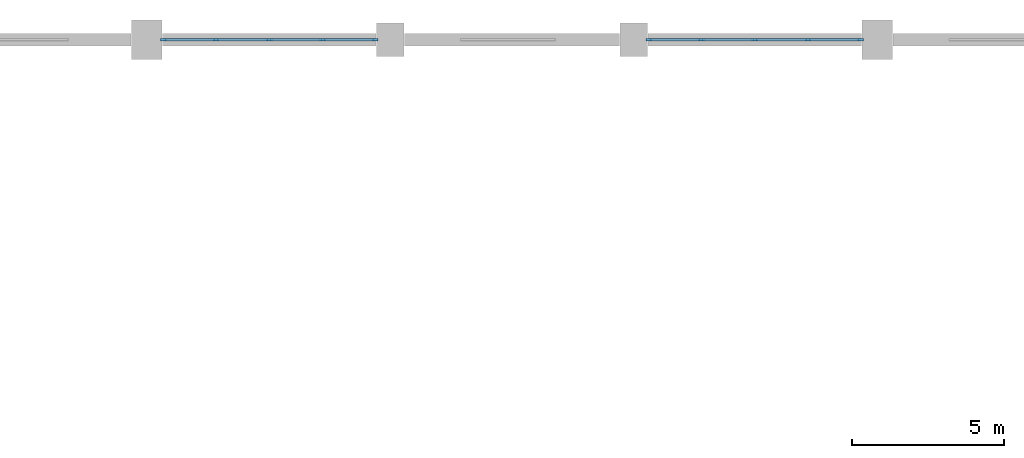
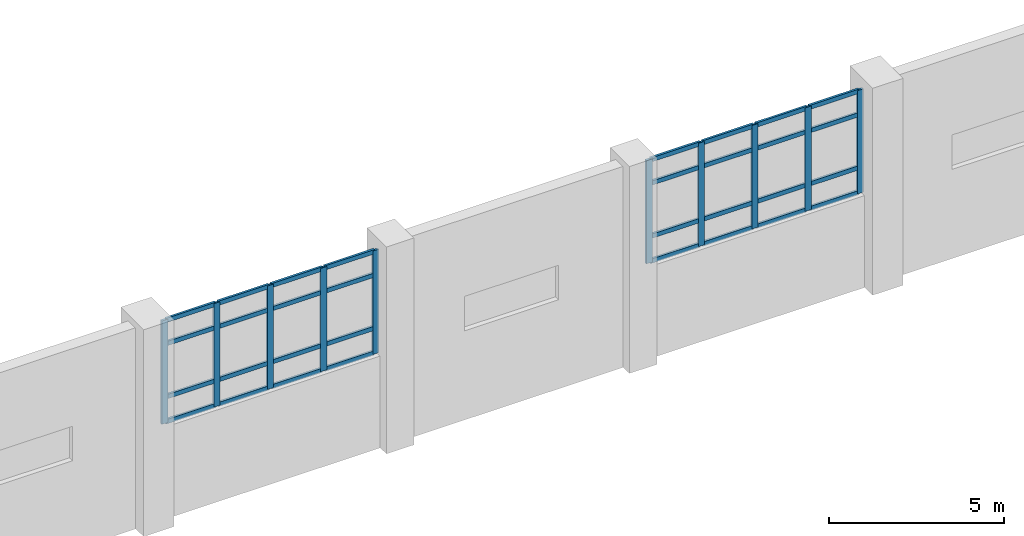
# One storey, part 36 of 84: 42 members, 2 elements without a shape of their own.
"""IFC4 building model written with IfcOpenShell, lengths in metres."""

from ifc_helpers import new_model, si_unit, direction, frame, origin, origin_2d, place, context, subcontext, project, spatial, rectangle, extrude, material, layer, layer_set, material_profile, profile_set, type_object, element, aggregate, save


model = new_model("IFC4")

# Units and contexts
model_context = context("Model", 3, precision=1e-05, world=origin(), true_north=direction((0.0, 1.0)))
body_context = subcontext(model_context, "Body", "Model", "MODEL_VIEW")
ifc_project = project(units=[si_unit("LENGTHUNIT", "METRE"), si_unit("AREAUNIT", "SQUARE_METRE"), si_unit("VOLUMEUNIT", "CUBIC_METRE"), si_unit("PLANEANGLEUNIT", "RADIAN"), si_unit("MASSUNIT", "GRAM", prefix="KILO")], contexts=[model_context])

# Site, building, storey
site_placement = place(None, origin())
site = spatial("IfcSite", under=ifc_project, at=site_placement, CompositionType="ELEMENT")
building_placement = place(site_placement, origin())
building = spatial("IfcBuilding", under=site, at=building_placement, Name="Tlacozan Convention Centre", CompositionType="ELEMENT")
storey_placement = place(building_placement, frame((0.0, 0.0, 6.0)))
storey = spatial("IfcBuildingStorey", under=building, at=storey_placement, Name="L01", CompositionType="ELEMENT", Elevation=6.0)

# Curtain wall, members
ifc_material = material(Name="Dark Bronze Anodised Aluminium", Category="aluminium")
ifc_layer = layer(ifc_material, 0.199951171875)
ifc_layer_set = layer_set([ifc_layer], Name="Dark Bronze Anodised Aluminium")
curtain_wall_type = type_object("IfcCurtainWallType", Name="Exhibition Clerestory Curtain Wall CW10", PredefinedType="NOTDEFINED", material=ifc_layer_set)
curtain_wall_1_placement = place(storey_placement, origin())
curtain_wall_1 = element("IfcCurtainWall", 1, at=curtain_wall_1_placement, inside=storey, type_object=curtain_wall_type, Name="L01 CW-10 Run 7", PredefinedType="NOTDEFINED")
ifc_material_profile_1 = material_profile(ifc_material, rectangle(XDim=0.074951171875, YDim=0.199951171875, at=origin_2d()), Name="ALU 75x200")
ifc_profile_set_1 = profile_set([ifc_material_profile_1], Name="Dark Bronze Anodised Aluminium")
member_type_1 = type_object("IfcMemberType", Name="Curtain Wall Heavy Mullion 75x200", PredefinedType="MULLION", material=ifc_profile_set_1)
member_1_placement = place(storey_placement, frame((96.552490234375, 126.0, 3.199951171875), z_axis=(0.0, 0.0, 1.0), x_axis=(0.0, 1.0, 0.0)))
member_1 = element("IfcMember", 2, at=member_1_placement, type_object=member_type_1, Name="CW-10 mullion 1", PredefinedType="MULLION", context=body_context, shape_type="SweptSolid", body=[
    extrude(rectangle(XDim=0.074951171875, YDim=0.199951171875, at=origin_2d()), origin(), (0.0, 0.0, 1.0), 3.60009765625),
])
member_2_placement = place(storey_placement, frame((98.27001953125, 126.0, 3.199951171875), z_axis=(0.0, 0.0, 1.0), x_axis=(0.0, 1.0, 0.0)))
member_2 = element("IfcMember", 3, at=member_2_placement, type_object=member_type_1, Name="CW-10 mullion 2", PredefinedType="MULLION", context=body_context, shape_type="SweptSolid", body=[
    extrude(rectangle(XDim=0.074951171875, YDim=0.199951171875, at=origin_2d()), origin(), (0.0, 0.0, 1.0), 3.60009765625),
])
member_3_placement = place(storey_placement, frame((100.02490234375, 126.0, 3.199951171875), z_axis=(0.0, 0.0, 1.0), x_axis=(0.0, 1.0, 0.0)))
member_3 = element("IfcMember", 4, at=member_3_placement, type_object=member_type_1, Name="CW-10 mullion 3", PredefinedType="MULLION", context=body_context, shape_type="SweptSolid", body=[
    extrude(rectangle(XDim=0.074951171875, YDim=0.199951171875, at=origin_2d()), origin(), (0.0, 0.0, 1.0), 3.60009765625),
])
member_4_placement = place(storey_placement, frame((101.780029296875, 126.0, 3.199951171875), z_axis=(0.0, 0.0, 1.0), x_axis=(0.0, 1.0, 0.0)))
member_4 = element("IfcMember", 5, at=member_4_placement, type_object=member_type_1, Name="CW-10 mullion 4", PredefinedType="MULLION", context=body_context, shape_type="SweptSolid", body=[
    extrude(rectangle(XDim=0.074951171875, YDim=0.199951171875, at=origin_2d()), origin(), (0.0, 0.0, 1.0), 3.60009765625),
])
member_5_placement = place(storey_placement, frame((103.49755859375, 126.0, 3.199951171875), z_axis=(0.0, 0.0, 1.0), x_axis=(0.0, 1.0, 0.0)))
member_5 = element("IfcMember", 6, at=member_5_placement, type_object=member_type_1, Name="CW-10 mullion 5", PredefinedType="MULLION", context=body_context, shape_type="SweptSolid", body=[
    extrude(rectangle(XDim=0.074951171875, YDim=0.199951171875, at=origin_2d()), origin(), (0.0, 0.0, 1.0), 3.60009765625),
])

curtain_wall_2_placement = place(storey_placement, origin())
curtain_wall_2 = element("IfcCurtainWall", 7, at=curtain_wall_2_placement, inside=storey, type_object=curtain_wall_type, Name="L01 CW-10 Run 8", PredefinedType="NOTDEFINED")
member_6_placement = place(storey_placement, frame((112.50244140625, 126.0, 3.199951171875), z_axis=(0.0, 0.0, 1.0), x_axis=(0.0, 1.0, 0.0)))
member_6 = element("IfcMember", 8, at=member_6_placement, type_object=member_type_1, Name="CW-10 mullion 1", PredefinedType="MULLION", context=body_context, shape_type="SweptSolid", body=[
    extrude(rectangle(XDim=0.074951171875, YDim=0.199951171875, at=origin_2d()), origin(), (0.0, 0.0, 1.0), 3.60009765625),
])
member_7_placement = place(storey_placement, frame((114.219970703125, 126.0, 3.199951171875), z_axis=(0.0, 0.0, 1.0), x_axis=(0.0, 1.0, 0.0)))
member_7 = element("IfcMember", 9, at=member_7_placement, type_object=member_type_1, Name="CW-10 mullion 2", PredefinedType="MULLION", context=body_context, shape_type="SweptSolid", body=[
    extrude(rectangle(XDim=0.074951171875, YDim=0.199951171875, at=origin_2d()), origin(), (0.0, 0.0, 1.0), 3.60009765625),
])
member_8_placement = place(storey_placement, frame((115.97509765625, 126.0, 3.199951171875), z_axis=(0.0, 0.0, 1.0), x_axis=(0.0, 1.0, 0.0)))
member_8 = element("IfcMember", 10, at=member_8_placement, type_object=member_type_1, Name="CW-10 mullion 3", PredefinedType="MULLION", context=body_context, shape_type="SweptSolid", body=[
    extrude(rectangle(XDim=0.074951171875, YDim=0.199951171875, at=origin_2d()), origin(), (0.0, 0.0, 1.0), 3.60009765625),
])
member_9_placement = place(storey_placement, frame((117.72998046875, 126.0, 3.199951171875), z_axis=(0.0, 0.0, 1.0), x_axis=(0.0, 1.0, 0.0)))
member_9 = element("IfcMember", 11, at=member_9_placement, type_object=member_type_1, Name="CW-10 mullion 4", PredefinedType="MULLION", context=body_context, shape_type="SweptSolid", body=[
    extrude(rectangle(XDim=0.074951171875, YDim=0.199951171875, at=origin_2d()), origin(), (0.0, 0.0, 1.0), 3.60009765625),
])
member_10_placement = place(storey_placement, frame((119.447509765625, 126.0, 3.199951171875), z_axis=(0.0, 0.0, 1.0), x_axis=(0.0, 1.0, 0.0)))
member_10 = element("IfcMember", 12, at=member_10_placement, type_object=member_type_1, Name="CW-10 mullion 5", PredefinedType="MULLION", context=body_context, shape_type="SweptSolid", body=[
    extrude(rectangle(XDim=0.074951171875, YDim=0.199951171875, at=origin_2d()), origin(), (0.0, 0.0, 1.0), 3.60009765625),
])

# Member
ifc_material_profile_2 = material_profile(ifc_material, rectangle(XDim=0.074951171875, YDim=0.14990234375, at=origin_2d()), Name="ALU 75x150")
ifc_profile_set_2 = profile_set([ifc_material_profile_2], Name="Dark Bronze Anodised Aluminium")
member_type_2 = type_object("IfcMemberType", Name="Curtain Wall Heavy Transom 75x150", PredefinedType="USERDEFINED", material=ifc_profile_set_2)
member_11_placement = place(storey_placement, frame((96.590087890625, 126.0, 3.237548828125), z_axis=(1.0, 0.0, 0.0), x_axis=(0.0, 1.0, 0.0)))
member_11 = element("IfcMember", 13, at=member_11_placement, type_object=member_type_2, Name="CW-10 transom 1.1", ObjectType="TRANSOM", PredefinedType="USERDEFINED", context=body_context, shape_type="SweptSolid", body=[
    extrude(rectangle(XDim=0.074951171875, YDim=0.14990234375, at=origin_2d()), origin(), (0.0, 0.0, 1.0), 1.642333984375),
])

member_12_placement = place(storey_placement, frame((96.590087890625, 126.0, 4.10009765625), z_axis=(1.0, 0.0, 0.0), x_axis=(0.0, 1.0, 0.0)))
member_12 = element("IfcMember", 14, at=member_12_placement, type_object=member_type_2, Name="CW-10 transom 1.2", ObjectType="TRANSOM", PredefinedType="USERDEFINED", context=body_context, shape_type="SweptSolid", body=[
    extrude(rectangle(XDim=0.074951171875, YDim=0.14990234375, at=origin_2d()), origin(), (0.0, 0.0, 1.0), 1.642333984375),
])

member_13_placement = place(storey_placement, frame((96.590087890625, 126.0, 5.949951171875), z_axis=(1.0, 0.0, 0.0), x_axis=(0.0, 1.0, 0.0)))
member_13 = element("IfcMember", 15, at=member_13_placement, type_object=member_type_2, Name="CW-10 transom 1.3", ObjectType="TRANSOM", PredefinedType="USERDEFINED", context=body_context, shape_type="SweptSolid", body=[
    extrude(rectangle(XDim=0.074951171875, YDim=0.14990234375, at=origin_2d()), origin(), (0.0, 0.0, 1.0), 1.642333984375),
])

member_14_placement = place(storey_placement, frame((96.590087890625, 126.0, 6.762451171875), z_axis=(1.0, 0.0, 0.0), x_axis=(0.0, 1.0, 0.0)))
member_14 = element("IfcMember", 16, at=member_14_placement, type_object=member_type_2, Name="CW-10 transom 1.4", ObjectType="TRANSOM", PredefinedType="USERDEFINED", context=body_context, shape_type="SweptSolid", body=[
    extrude(rectangle(XDim=0.074951171875, YDim=0.14990234375, at=origin_2d()), origin(), (0.0, 0.0, 1.0), 1.642333984375),
])

member_15_placement = place(storey_placement, frame((98.3076171875, 126.0, 3.237548828125), z_axis=(1.0, 0.0, 0.0), x_axis=(0.0, 1.0, 0.0)))
member_15 = element("IfcMember", 17, at=member_15_placement, type_object=member_type_2, Name="CW-10 transom 2.1", ObjectType="TRANSOM", PredefinedType="USERDEFINED", context=body_context, shape_type="SweptSolid", body=[
    extrude(rectangle(XDim=0.074951171875, YDim=0.14990234375, at=origin_2d()), origin(), (0.0, 0.0, 1.0), 1.679931640625),
])

member_16_placement = place(storey_placement, frame((98.3076171875, 126.0, 4.10009765625), z_axis=(1.0, 0.0, 0.0), x_axis=(0.0, 1.0, 0.0)))
member_16 = element("IfcMember", 18, at=member_16_placement, type_object=member_type_2, Name="CW-10 transom 2.2", ObjectType="TRANSOM", PredefinedType="USERDEFINED", context=body_context, shape_type="SweptSolid", body=[
    extrude(rectangle(XDim=0.074951171875, YDim=0.14990234375, at=origin_2d()), origin(), (0.0, 0.0, 1.0), 1.679931640625),
])

member_17_placement = place(storey_placement, frame((98.3076171875, 126.0, 5.949951171875), z_axis=(1.0, 0.0, 0.0), x_axis=(0.0, 1.0, 0.0)))
member_17 = element("IfcMember", 19, at=member_17_placement, type_object=member_type_2, Name="CW-10 transom 2.3", ObjectType="TRANSOM", PredefinedType="USERDEFINED", context=body_context, shape_type="SweptSolid", body=[
    extrude(rectangle(XDim=0.074951171875, YDim=0.14990234375, at=origin_2d()), origin(), (0.0, 0.0, 1.0), 1.679931640625),
])

member_18_placement = place(storey_placement, frame((98.3076171875, 126.0, 6.762451171875), z_axis=(1.0, 0.0, 0.0), x_axis=(0.0, 1.0, 0.0)))
member_18 = element("IfcMember", 20, at=member_18_placement, type_object=member_type_2, Name="CW-10 transom 2.4", ObjectType="TRANSOM", PredefinedType="USERDEFINED", context=body_context, shape_type="SweptSolid", body=[
    extrude(rectangle(XDim=0.074951171875, YDim=0.14990234375, at=origin_2d()), origin(), (0.0, 0.0, 1.0), 1.679931640625),
])

member_19_placement = place(storey_placement, frame((100.0625, 126.0, 3.237548828125), z_axis=(1.0, 0.0, 0.0), x_axis=(0.0, 1.0, 0.0)))
member_19 = element("IfcMember", 21, at=member_19_placement, type_object=member_type_2, Name="CW-10 transom 3.1", ObjectType="TRANSOM", PredefinedType="USERDEFINED", context=body_context, shape_type="SweptSolid", body=[
    extrude(rectangle(XDim=0.074951171875, YDim=0.14990234375, at=origin_2d()), origin(), (0.0, 0.0, 1.0), 1.679931640625),
])

member_20_placement = place(storey_placement, frame((100.0625, 126.0, 4.10009765625), z_axis=(1.0, 0.0, 0.0), x_axis=(0.0, 1.0, 0.0)))
member_20 = element("IfcMember", 22, at=member_20_placement, type_object=member_type_2, Name="CW-10 transom 3.2", ObjectType="TRANSOM", PredefinedType="USERDEFINED", context=body_context, shape_type="SweptSolid", body=[
    extrude(rectangle(XDim=0.074951171875, YDim=0.14990234375, at=origin_2d()), origin(), (0.0, 0.0, 1.0), 1.679931640625),
])

member_21_placement = place(storey_placement, frame((100.0625, 126.0, 5.949951171875), z_axis=(1.0, 0.0, 0.0), x_axis=(0.0, 1.0, 0.0)))
member_21 = element("IfcMember", 23, at=member_21_placement, type_object=member_type_2, Name="CW-10 transom 3.3", ObjectType="TRANSOM", PredefinedType="USERDEFINED", context=body_context, shape_type="SweptSolid", body=[
    extrude(rectangle(XDim=0.074951171875, YDim=0.14990234375, at=origin_2d()), origin(), (0.0, 0.0, 1.0), 1.679931640625),
])

member_22_placement = place(storey_placement, frame((100.0625, 126.0, 6.762451171875), z_axis=(1.0, 0.0, 0.0), x_axis=(0.0, 1.0, 0.0)))
member_22 = element("IfcMember", 24, at=member_22_placement, type_object=member_type_2, Name="CW-10 transom 3.4", ObjectType="TRANSOM", PredefinedType="USERDEFINED", context=body_context, shape_type="SweptSolid", body=[
    extrude(rectangle(XDim=0.074951171875, YDim=0.14990234375, at=origin_2d()), origin(), (0.0, 0.0, 1.0), 1.679931640625),
])

member_23_placement = place(storey_placement, frame((101.8173828125, 126.0, 3.237548828125), z_axis=(1.0, 0.0, 0.0), x_axis=(0.0, 1.0, 0.0)))
member_23 = element("IfcMember", 25, at=member_23_placement, type_object=member_type_2, Name="CW-10 transom 4.1", ObjectType="TRANSOM", PredefinedType="USERDEFINED", context=body_context, shape_type="SweptSolid", body=[
    extrude(rectangle(XDim=0.074951171875, YDim=0.14990234375, at=origin_2d()), origin(), (0.0, 0.0, 1.0), 1.642578125),
])

member_24_placement = place(storey_placement, frame((101.8173828125, 126.0, 4.10009765625), z_axis=(1.0, 0.0, 0.0), x_axis=(0.0, 1.0, 0.0)))
member_24 = element("IfcMember", 26, at=member_24_placement, type_object=member_type_2, Name="CW-10 transom 4.2", ObjectType="TRANSOM", PredefinedType="USERDEFINED", context=body_context, shape_type="SweptSolid", body=[
    extrude(rectangle(XDim=0.074951171875, YDim=0.14990234375, at=origin_2d()), origin(), (0.0, 0.0, 1.0), 1.642578125),
])

member_25_placement = place(storey_placement, frame((101.8173828125, 126.0, 5.949951171875), z_axis=(1.0, 0.0, 0.0), x_axis=(0.0, 1.0, 0.0)))
member_25 = element("IfcMember", 27, at=member_25_placement, type_object=member_type_2, Name="CW-10 transom 4.3", ObjectType="TRANSOM", PredefinedType="USERDEFINED", context=body_context, shape_type="SweptSolid", body=[
    extrude(rectangle(XDim=0.074951171875, YDim=0.14990234375, at=origin_2d()), origin(), (0.0, 0.0, 1.0), 1.642578125),
])

member_26_placement = place(storey_placement, frame((101.8173828125, 126.0, 6.762451171875), z_axis=(1.0, 0.0, 0.0), x_axis=(0.0, 1.0, 0.0)))
member_26 = element("IfcMember", 28, at=member_26_placement, type_object=member_type_2, Name="CW-10 transom 4.4", ObjectType="TRANSOM", PredefinedType="USERDEFINED", context=body_context, shape_type="SweptSolid", body=[
    extrude(rectangle(XDim=0.074951171875, YDim=0.14990234375, at=origin_2d()), origin(), (0.0, 0.0, 1.0), 1.642578125),
])

aggregate(curtain_wall_1, [member_1, member_2, member_3, member_4, member_5, member_11, member_12, member_13, member_14, member_15, member_16, member_17, member_18, member_19, member_20, member_21, member_22, member_23, member_24, member_25, member_26])

member_27_placement = place(storey_placement, frame((112.5400390625, 126.0, 3.237548828125), z_axis=(1.0, 0.0, 0.0), x_axis=(0.0, 1.0, 0.0)))
member_27 = element("IfcMember", 29, at=member_27_placement, type_object=member_type_2, Name="CW-10 transom 1.1", ObjectType="TRANSOM", PredefinedType="USERDEFINED", context=body_context, shape_type="SweptSolid", body=[
    extrude(rectangle(XDim=0.074951171875, YDim=0.14990234375, at=origin_2d()), origin(), (0.0, 0.0, 1.0), 1.642578125),
])

member_28_placement = place(storey_placement, frame((112.5400390625, 126.0, 4.10009765625), z_axis=(1.0, 0.0, 0.0), x_axis=(0.0, 1.0, 0.0)))
member_28 = element("IfcMember", 30, at=member_28_placement, type_object=member_type_2, Name="CW-10 transom 1.2", ObjectType="TRANSOM", PredefinedType="USERDEFINED", context=body_context, shape_type="SweptSolid", body=[
    extrude(rectangle(XDim=0.074951171875, YDim=0.14990234375, at=origin_2d()), origin(), (0.0, 0.0, 1.0), 1.642578125),
])

member_29_placement = place(storey_placement, frame((112.5400390625, 126.0, 5.949951171875), z_axis=(1.0, 0.0, 0.0), x_axis=(0.0, 1.0, 0.0)))
member_29 = element("IfcMember", 31, at=member_29_placement, type_object=member_type_2, Name="CW-10 transom 1.3", ObjectType="TRANSOM", PredefinedType="USERDEFINED", context=body_context, shape_type="SweptSolid", body=[
    extrude(rectangle(XDim=0.074951171875, YDim=0.14990234375, at=origin_2d()), origin(), (0.0, 0.0, 1.0), 1.642578125),
])

member_30_placement = place(storey_placement, frame((112.5400390625, 126.0, 6.762451171875), z_axis=(1.0, 0.0, 0.0), x_axis=(0.0, 1.0, 0.0)))
member_30 = element("IfcMember", 32, at=member_30_placement, type_object=member_type_2, Name="CW-10 transom 1.4", ObjectType="TRANSOM", PredefinedType="USERDEFINED", context=body_context, shape_type="SweptSolid", body=[
    extrude(rectangle(XDim=0.074951171875, YDim=0.14990234375, at=origin_2d()), origin(), (0.0, 0.0, 1.0), 1.642578125),
])

member_31_placement = place(storey_placement, frame((114.257568359375, 126.0, 3.237548828125), z_axis=(1.0, 0.0, 0.0), x_axis=(0.0, 1.0, 0.0)))
member_31 = element("IfcMember", 33, at=member_31_placement, type_object=member_type_2, Name="CW-10 transom 2.1", ObjectType="TRANSOM", PredefinedType="USERDEFINED", context=body_context, shape_type="SweptSolid", body=[
    extrude(rectangle(XDim=0.074951171875, YDim=0.14990234375, at=origin_2d()), origin(), (0.0, 0.0, 1.0), 1.679931640625),
])

member_32_placement = place(storey_placement, frame((114.257568359375, 126.0, 4.10009765625), z_axis=(1.0, 0.0, 0.0), x_axis=(0.0, 1.0, 0.0)))
member_32 = element("IfcMember", 34, at=member_32_placement, type_object=member_type_2, Name="CW-10 transom 2.2", ObjectType="TRANSOM", PredefinedType="USERDEFINED", context=body_context, shape_type="SweptSolid", body=[
    extrude(rectangle(XDim=0.074951171875, YDim=0.14990234375, at=origin_2d()), origin(), (0.0, 0.0, 1.0), 1.679931640625),
])

member_33_placement = place(storey_placement, frame((114.257568359375, 126.0, 5.949951171875), z_axis=(1.0, 0.0, 0.0), x_axis=(0.0, 1.0, 0.0)))
member_33 = element("IfcMember", 35, at=member_33_placement, type_object=member_type_2, Name="CW-10 transom 2.3", ObjectType="TRANSOM", PredefinedType="USERDEFINED", context=body_context, shape_type="SweptSolid", body=[
    extrude(rectangle(XDim=0.074951171875, YDim=0.14990234375, at=origin_2d()), origin(), (0.0, 0.0, 1.0), 1.679931640625),
])

member_34_placement = place(storey_placement, frame((114.257568359375, 126.0, 6.762451171875), z_axis=(1.0, 0.0, 0.0), x_axis=(0.0, 1.0, 0.0)))
member_34 = element("IfcMember", 36, at=member_34_placement, type_object=member_type_2, Name="CW-10 transom 2.4", ObjectType="TRANSOM", PredefinedType="USERDEFINED", context=body_context, shape_type="SweptSolid", body=[
    extrude(rectangle(XDim=0.074951171875, YDim=0.14990234375, at=origin_2d()), origin(), (0.0, 0.0, 1.0), 1.679931640625),
])

member_35_placement = place(storey_placement, frame((116.012451171875, 126.0, 3.237548828125), z_axis=(1.0, 0.0, 0.0), x_axis=(0.0, 1.0, 0.0)))
member_35 = element("IfcMember", 37, at=member_35_placement, type_object=member_type_2, Name="CW-10 transom 3.1", ObjectType="TRANSOM", PredefinedType="USERDEFINED", context=body_context, shape_type="SweptSolid", body=[
    extrude(rectangle(XDim=0.074951171875, YDim=0.14990234375, at=origin_2d()), origin(), (0.0, 0.0, 1.0), 1.679931640625),
])

member_36_placement = place(storey_placement, frame((116.012451171875, 126.0, 4.10009765625), z_axis=(1.0, 0.0, 0.0), x_axis=(0.0, 1.0, 0.0)))
member_36 = element("IfcMember", 38, at=member_36_placement, type_object=member_type_2, Name="CW-10 transom 3.2", ObjectType="TRANSOM", PredefinedType="USERDEFINED", context=body_context, shape_type="SweptSolid", body=[
    extrude(rectangle(XDim=0.074951171875, YDim=0.14990234375, at=origin_2d()), origin(), (0.0, 0.0, 1.0), 1.679931640625),
])

member_37_placement = place(storey_placement, frame((116.012451171875, 126.0, 5.949951171875), z_axis=(1.0, 0.0, 0.0), x_axis=(0.0, 1.0, 0.0)))
member_37 = element("IfcMember", 39, at=member_37_placement, type_object=member_type_2, Name="CW-10 transom 3.3", ObjectType="TRANSOM", PredefinedType="USERDEFINED", context=body_context, shape_type="SweptSolid", body=[
    extrude(rectangle(XDim=0.074951171875, YDim=0.14990234375, at=origin_2d()), origin(), (0.0, 0.0, 1.0), 1.679931640625),
])

member_38_placement = place(storey_placement, frame((116.012451171875, 126.0, 6.762451171875), z_axis=(1.0, 0.0, 0.0), x_axis=(0.0, 1.0, 0.0)))
member_38 = element("IfcMember", 40, at=member_38_placement, type_object=member_type_2, Name="CW-10 transom 3.4", ObjectType="TRANSOM", PredefinedType="USERDEFINED", context=body_context, shape_type="SweptSolid", body=[
    extrude(rectangle(XDim=0.074951171875, YDim=0.14990234375, at=origin_2d()), origin(), (0.0, 0.0, 1.0), 1.679931640625),
])

member_39_placement = place(storey_placement, frame((117.767578125, 126.0, 3.237548828125), z_axis=(1.0, 0.0, 0.0), x_axis=(0.0, 1.0, 0.0)))
member_39 = element("IfcMember", 41, at=member_39_placement, type_object=member_type_2, Name="CW-10 transom 4.1", ObjectType="TRANSOM", PredefinedType="USERDEFINED", context=body_context, shape_type="SweptSolid", body=[
    extrude(rectangle(XDim=0.074951171875, YDim=0.14990234375, at=origin_2d()), origin(), (0.0, 0.0, 1.0), 1.642333984375),
])

member_40_placement = place(storey_placement, frame((117.767578125, 126.0, 4.10009765625), z_axis=(1.0, 0.0, 0.0), x_axis=(0.0, 1.0, 0.0)))
member_40 = element("IfcMember", 42, at=member_40_placement, type_object=member_type_2, Name="CW-10 transom 4.2", ObjectType="TRANSOM", PredefinedType="USERDEFINED", context=body_context, shape_type="SweptSolid", body=[
    extrude(rectangle(XDim=0.074951171875, YDim=0.14990234375, at=origin_2d()), origin(), (0.0, 0.0, 1.0), 1.642333984375),
])

member_41_placement = place(storey_placement, frame((117.767578125, 126.0, 5.949951171875), z_axis=(1.0, 0.0, 0.0), x_axis=(0.0, 1.0, 0.0)))
member_41 = element("IfcMember", 43, at=member_41_placement, type_object=member_type_2, Name="CW-10 transom 4.3", ObjectType="TRANSOM", PredefinedType="USERDEFINED", context=body_context, shape_type="SweptSolid", body=[
    extrude(rectangle(XDim=0.074951171875, YDim=0.14990234375, at=origin_2d()), origin(), (0.0, 0.0, 1.0), 1.642333984375),
])

member_42_placement = place(storey_placement, frame((117.767578125, 126.0, 6.762451171875), z_axis=(1.0, 0.0, 0.0), x_axis=(0.0, 1.0, 0.0)))
member_42 = element("IfcMember", 44, at=member_42_placement, type_object=member_type_2, Name="CW-10 transom 4.4", ObjectType="TRANSOM", PredefinedType="USERDEFINED", context=body_context, shape_type="SweptSolid", body=[
    extrude(rectangle(XDim=0.074951171875, YDim=0.14990234375, at=origin_2d()), origin(), (0.0, 0.0, 1.0), 1.642333984375),
])

aggregate(curtain_wall_2, [member_6, member_7, member_8, member_9, member_10, member_27, member_28, member_29, member_30, member_31, member_32, member_33, member_34, member_35, member_36, member_37, member_38, member_39, member_40, member_41, member_42])

save(model, "model.ifc")
